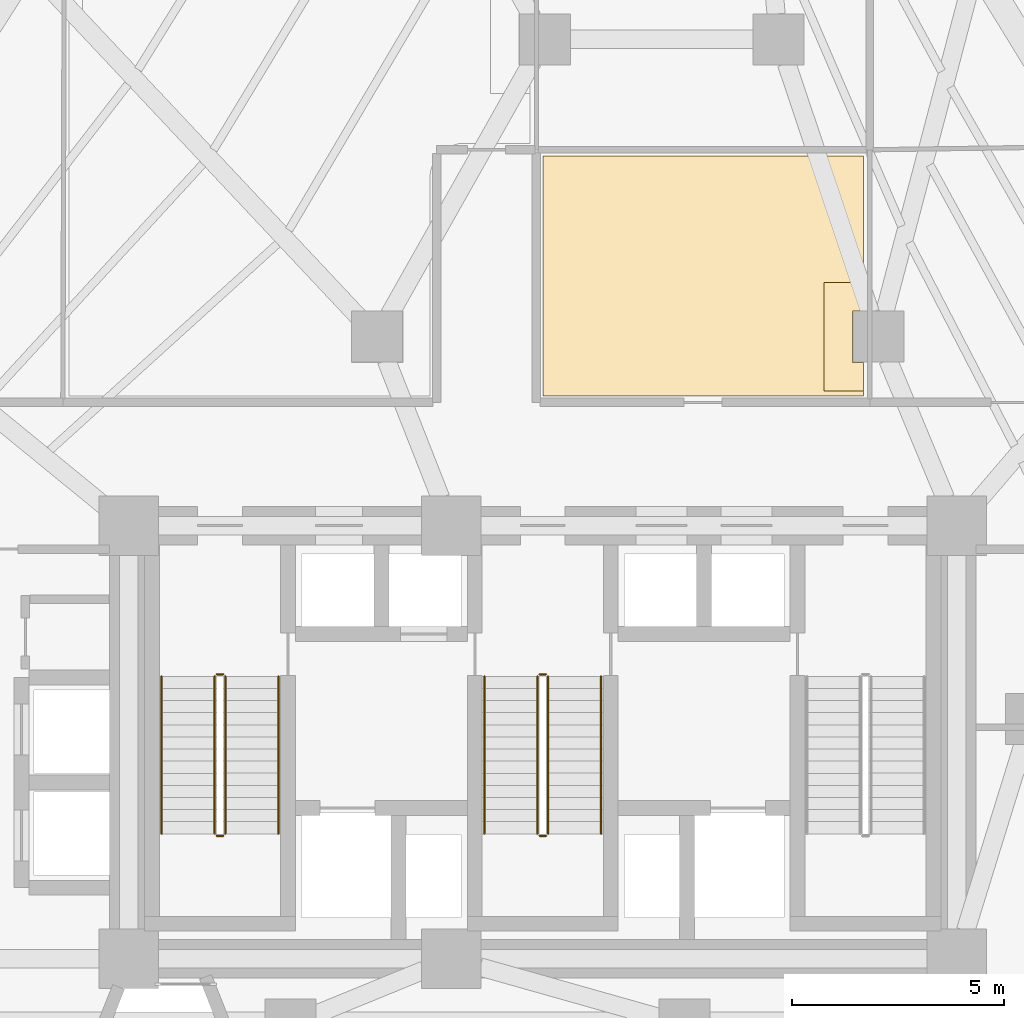
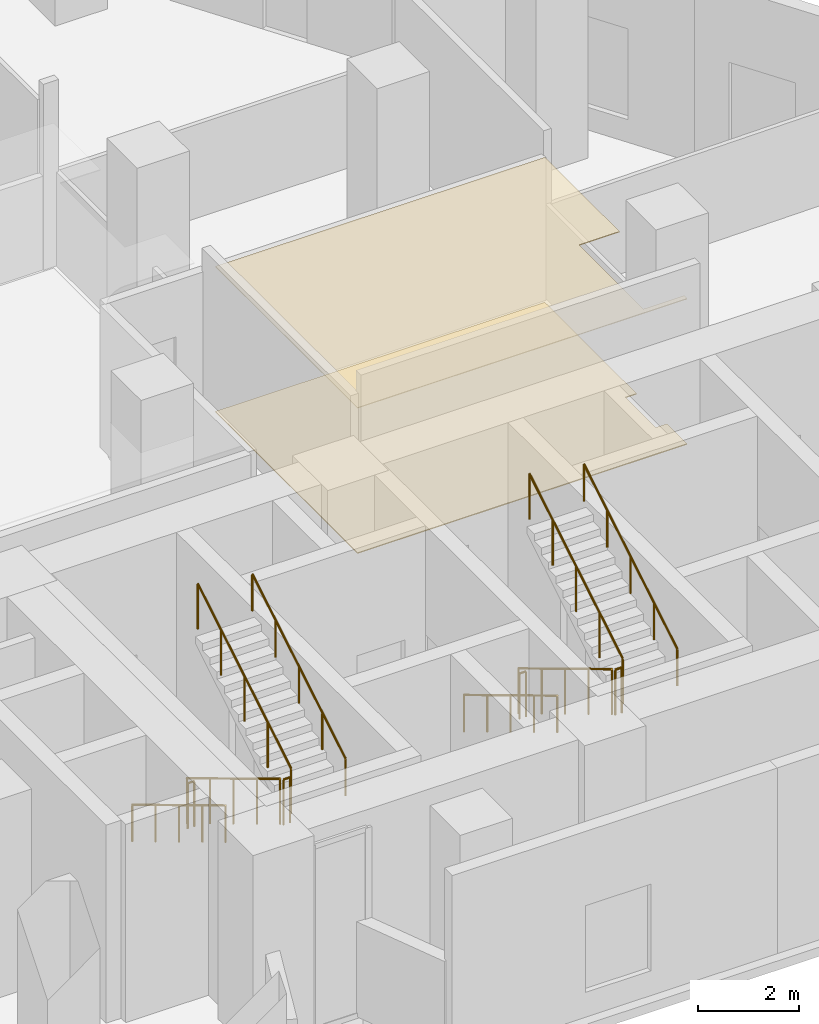
# One storey, part 10 of 13: 12 railings, 2 coverings.
"""IFC4 building model written with IfcOpenShell, lengths in metres."""

from ifc_helpers import new_model, si_unit, direction, frame, origin, origin_2d, place, context, subcontext, project, spatial, polyline, circle, outline, extrude, material, layer, layer_set, type_object, element, save


model = new_model("IFC4")

# Units and contexts
model_context = context("Model", 3, precision=1e-05, world=origin(), true_north=direction((0.0, 1.0)))
body_context = subcontext(model_context, "Body", "Model", "MODEL_VIEW")
ifc_project = project(units=[si_unit("LENGTHUNIT", "METRE"), si_unit("AREAUNIT", "SQUARE_METRE"), si_unit("VOLUMEUNIT", "CUBIC_METRE"), si_unit("PLANEANGLEUNIT", "RADIAN"), si_unit("MASSUNIT", "GRAM", prefix="KILO")], contexts=[model_context])

# Site, building, storey
site_placement = place(None, origin())
site = spatial("IfcSite", under=ifc_project, at=site_placement, CompositionType="ELEMENT")
building_placement = place(site_placement, origin())
building = spatial("IfcBuilding", under=site, at=building_placement, Name="Almagre Mirador Tower", CompositionType="ELEMENT")
storey_placement = place(building_placement, frame((0.0, 0.0, 100.199951171875)))
storey = spatial("IfcBuildingStorey", under=building, at=storey_placement, Name="L25", CompositionType="ELEMENT", Elevation=100.199951171875)

# Coverings
ifc_material_1 = material(Name="Perforated acoustic gypsum ceiling", Category="other")
ifc_layer_1 = layer(ifc_material_1, 0.01806640625)
ifc_layer_set_1 = layer_set([ifc_layer_1], Name="Perforated acoustic gypsum ceiling")
covering_type_1 = type_object("IfcCoveringType", Name="COV-CEIL-GYP-18", PredefinedType="CEILING", material=ifc_layer_set_1)
covering_1_placement = place(storey_placement, frame((0.0, 0.0, 3.52001953125)))
element("IfcCovering", 1, at=covering_1_placement, inside=storey, type_object=covering_type_1, Name="L25 L25 Sky Garden Cafe and Bar acoustic suspended ceiling", PredefinedType="CEILING", context=body_context, shape_type="SweptSolid", body=[
    extrude(outline(polyline([(44.85009765625, 23.449951171875), (44.85009765625, 20.47998046875), (43.919921875, 20.47998046875), (43.919921875, 17.919921875), (44.85009765625, 17.919921875), (44.85009765625, 17.800048828125), (37.300048828125, 17.800048828125), (37.300048828125, 23.449951171875), (44.85009765625, 23.449951171875)])), origin(), (0.0, 0.0, 1.0), 0.01806640625),
])
ifc_material_2 = material(Name="Honed basalt terrazzo flooring", Category="masonry")
ifc_layer_2 = layer(ifc_material_2, 0.02197265625)
ifc_layer_set_2 = layer_set([ifc_layer_2], Name="Honed basalt terrazzo flooring")
covering_type_2 = type_object("IfcCoveringType", Name="COV-FLR-TER-22", PredefinedType="FLOORING", material=ifc_layer_set_2)
covering_2_placement = place(storey_placement, origin())
element("IfcCovering", 2, at=covering_2_placement, inside=storey, type_object=covering_type_2, Name="L25 L25 Sky Garden Cafe and Bar finish flooring", PredefinedType="FLOORING", context=body_context, shape_type="SweptSolid", body=[
    extrude(outline(polyline([(37.300048828125, 23.449951171875), (44.85009765625, 23.449951171875), (44.85009765625, 19.804931640625), (44.594970703125, 19.804931640625), (44.594970703125, 18.594970703125), (44.85009765625, 18.594970703125), (44.85009765625, 17.800048828125), (37.300048828125, 17.800048828125), (37.300048828125, 23.449951171875)])), origin(), (0.0, 0.0, 1.0), 0.02197265625),
])

# Railings
ifc_material_3 = material(Name="Painted galvanized steel", Category="steel")
railing_type_1 = type_object("IfcRailingType", Name="RLG-GRD-1100", PredefinedType="GUARDRAIL", material=ifc_material_3)
railing_1_placement = place(storey_placement, frame((29.574951171875, 11.199951171875, 0.17138671875)))
element("IfcRailing", 3, at=railing_1_placement, inside=storey, type_object=railing_type_1, Name="L25 ST-1 stair guard 1", PredefinedType="GUARDRAIL", context=body_context, shape_type="SweptSolid", body=[
    extrude(circle(Radius=0.02392578125, at=origin_2d()), frame((0.0, 0.0, 1.09619140625), z_axis=(0.0, -0.856894455432, 0.515491893485), x_axis=(1.0, 0.0, 0.0)), (0.0, 0.0, 1.0), 4.323486328125),
    extrude(circle(Radius=0.02099609375, at=origin_2d()), origin(), (0.0, 0.0, 1.0), 1.072021484375),
    extrude(circle(Radius=0.02099609375, at=origin_2d()), frame((0.0, -0.92626953125, 0.55712890625)), (0.0, 0.0, 1.0), 1.072021484375),
    extrude(circle(Radius=0.02099609375, at=origin_2d()), frame((0.0, -1.8525390625, 1.1142578125)), (0.0, 0.0, 1.0), 1.072021484375),
    extrude(circle(Radius=0.02099609375, at=origin_2d()), frame((0.0, -2.778564453125, 1.671630859375)), (0.0, 0.0, 1.0), 1.072021484375),
    extrude(circle(Radius=0.02099609375, at=origin_2d()), frame((0.0, -3.704833984375, 2.228759765625)), (0.0, 0.0, 1.0), 1.072021484375),
])
railing_2_placement = place(storey_placement, frame((29.625, 7.445068359375, 2.400146484375)))
element("IfcRailing", 4, at=railing_2_placement, inside=storey, type_object=railing_type_1, Name="L25 ST-1 stair guard 2", PredefinedType="GUARDRAIL", context=body_context, shape_type="SweptSolid", body=[
    extrude(circle(Radius=0.02392578125, at=origin_2d()), frame((0.0, 0.0, 1.09619140625), z_axis=(1.0, 0.0, 0.0), x_axis=(0.0, 1.0, 0.0)), (0.0, 0.0, 1.0), 0.14990234375),
    extrude(circle(Radius=0.02099609375, at=origin_2d()), origin(), (0.0, 0.0, 1.0), 1.072021484375),
    extrude(circle(Radius=0.02099609375, at=origin_2d()), frame((0.14990234375, 0.0, 0.0)), (0.0, 0.0, 1.0), 1.072021484375),
])
railing_3_placement = place(storey_placement, frame((29.824951171875, 7.4951171875, 2.571533203125)))
element("IfcRailing", 5, at=railing_3_placement, inside=storey, type_object=railing_type_1, Name="L25 ST-1 stair guard 3", PredefinedType="GUARDRAIL", context=body_context, shape_type="SweptSolid", body=[
    extrude(circle(Radius=0.02392578125, at=origin_2d()), frame((0.0, 0.0, 1.09619140625), z_axis=(0.0, 0.856919398105, 0.515450429384), x_axis=(-1.0, 0.0, 0.0)), (0.0, 0.0, 1.0), 4.323486328125),
    extrude(circle(Radius=0.02099609375, at=origin_2d()), origin(), (0.0, 0.0, 1.0), 1.072021484375),
    extrude(circle(Radius=0.02099609375, at=origin_2d()), frame((0.0, 0.92626953125, 0.55712890625)), (0.0, 0.0, 1.0), 1.072021484375),
    extrude(circle(Radius=0.02099609375, at=origin_2d()), frame((0.0, 1.8525390625, 1.1142578125)), (0.0, 0.0, 1.0), 1.072021484375),
    extrude(circle(Radius=0.02099609375, at=origin_2d()), frame((0.0, 2.778564453125, 1.67138671875)), (0.0, 0.0, 1.0), 1.072021484375),
    extrude(circle(Radius=0.02099609375, at=origin_2d()), frame((0.0, 3.704833984375, 2.228515625)), (0.0, 0.0, 1.0), 1.072021484375),
])
railing_4_placement = place(storey_placement, frame((29.625, 11.25, 0.0)))
element("IfcRailing", 6, at=railing_4_placement, inside=storey, type_object=railing_type_1, Name="L25 ST-1 stair guard 4", PredefinedType="GUARDRAIL", context=body_context, shape_type="SweptSolid", body=[
    extrude(circle(Radius=0.02392578125, at=origin_2d()), frame((0.0, 0.0, 1.09619140625), z_axis=(1.0, 0.0, 0.0), x_axis=(0.0, 1.0, 0.0)), (0.0, 0.0, 1.0), 0.14990234375),
    extrude(circle(Radius=0.02099609375, at=origin_2d()), origin(), (0.0, 0.0, 1.0), 1.072021484375),
    extrude(circle(Radius=0.02099609375, at=origin_2d()), frame((0.14990234375, 0.0, 0.0)), (0.0, 0.0, 1.0), 1.072021484375),
])
railing_5_placement = place(storey_placement, frame((37.175048828125, 11.199951171875, 0.17138671875)))
element("IfcRailing", 7, at=railing_5_placement, inside=storey, type_object=railing_type_1, Name="L25 ST-2 stair guard 1", PredefinedType="GUARDRAIL", context=body_context, shape_type="SweptSolid", body=[
    extrude(circle(Radius=0.02392578125, at=origin_2d()), frame((0.0, 0.0, 1.09619140625), z_axis=(0.0, -0.856894455432, 0.515491893485), x_axis=(1.0, 0.0, 0.0)), (0.0, 0.0, 1.0), 4.323486328125),
    extrude(circle(Radius=0.02099609375, at=origin_2d()), origin(), (0.0, 0.0, 1.0), 1.072021484375),
    extrude(circle(Radius=0.02099609375, at=origin_2d()), frame((0.0, -0.92626953125, 0.55712890625)), (0.0, 0.0, 1.0), 1.072021484375),
    extrude(circle(Radius=0.02099609375, at=origin_2d()), frame((0.0, -1.8525390625, 1.1142578125)), (0.0, 0.0, 1.0), 1.072021484375),
    extrude(circle(Radius=0.02099609375, at=origin_2d()), frame((0.0, -2.778564453125, 1.671630859375)), (0.0, 0.0, 1.0), 1.072021484375),
    extrude(circle(Radius=0.02099609375, at=origin_2d()), frame((0.0, -3.704833984375, 2.228759765625)), (0.0, 0.0, 1.0), 1.072021484375),
])
railing_6_placement = place(storey_placement, frame((37.22509765625, 7.445068359375, 2.400146484375)))
element("IfcRailing", 8, at=railing_6_placement, inside=storey, type_object=railing_type_1, Name="L25 ST-2 stair guard 2", PredefinedType="GUARDRAIL", context=body_context, shape_type="SweptSolid", body=[
    extrude(circle(Radius=0.02392578125, at=origin_2d()), frame((0.0, 0.0, 1.09619140625), z_axis=(1.0, 0.0, 0.0), x_axis=(0.0, 1.0, 0.0)), (0.0, 0.0, 1.0), 0.14990234375),
    extrude(circle(Radius=0.02099609375, at=origin_2d()), origin(), (0.0, 0.0, 1.0), 1.072021484375),
    extrude(circle(Radius=0.02099609375, at=origin_2d()), frame((0.14990234375, 0.0, 0.0)), (0.0, 0.0, 1.0), 1.072021484375),
])
railing_7_placement = place(storey_placement, frame((37.425048828125, 7.4951171875, 2.571533203125)))
element("IfcRailing", 9, at=railing_7_placement, inside=storey, type_object=railing_type_1, Name="L25 ST-2 stair guard 3", PredefinedType="GUARDRAIL", context=body_context, shape_type="SweptSolid", body=[
    extrude(circle(Radius=0.02392578125, at=origin_2d()), frame((0.0, 0.0, 1.09619140625), z_axis=(0.0, 0.856919398105, 0.515450429384), x_axis=(-1.0, 0.0, 0.0)), (0.0, 0.0, 1.0), 4.323486328125),
    extrude(circle(Radius=0.02099609375, at=origin_2d()), origin(), (0.0, 0.0, 1.0), 1.072021484375),
    extrude(circle(Radius=0.02099609375, at=origin_2d()), frame((0.0, 0.92626953125, 0.55712890625)), (0.0, 0.0, 1.0), 1.072021484375),
    extrude(circle(Radius=0.02099609375, at=origin_2d()), frame((0.0, 1.8525390625, 1.1142578125)), (0.0, 0.0, 1.0), 1.072021484375),
    extrude(circle(Radius=0.02099609375, at=origin_2d()), frame((0.0, 2.778564453125, 1.67138671875)), (0.0, 0.0, 1.0), 1.072021484375),
    extrude(circle(Radius=0.02099609375, at=origin_2d()), frame((0.0, 3.704833984375, 2.228515625)), (0.0, 0.0, 1.0), 1.072021484375),
])
railing_8_placement = place(storey_placement, frame((37.22509765625, 11.25, 0.0)))
element("IfcRailing", 10, at=railing_8_placement, inside=storey, type_object=railing_type_1, Name="L25 ST-2 stair guard 4", PredefinedType="GUARDRAIL", context=body_context, shape_type="SweptSolid", body=[
    extrude(circle(Radius=0.02392578125, at=origin_2d()), frame((0.0, 0.0, 1.09619140625), z_axis=(1.0, 0.0, 0.0), x_axis=(0.0, 1.0, 0.0)), (0.0, 0.0, 1.0), 0.14990234375),
    extrude(circle(Radius=0.02099609375, at=origin_2d()), origin(), (0.0, 0.0, 1.0), 1.072021484375),
    extrude(circle(Radius=0.02099609375, at=origin_2d()), frame((0.14990234375, 0.0, 0.0)), (0.0, 0.0, 1.0), 1.072021484375),
])
ifc_material_4 = material(Name="Brushed stainless steel", Category="steel")
railing_type_2 = type_object("IfcRailingType", Name="RLG-HND-915", PredefinedType="HANDRAIL", material=ifc_material_4)
railing_9_placement = place(storey_placement, frame((28.324951171875, 11.199951171875, 0.17138671875)))
element("IfcRailing", 11, at=railing_9_placement, inside=storey, type_object=railing_type_2, Name="L25 ST-1 stair handrail 1", PredefinedType="HANDRAIL", context=body_context, shape_type="SweptSolid", body=[
    extrude(circle(Radius=0.02392578125, at=origin_2d()), frame((0.0, 0.0, 0.89111328125), z_axis=(0.0, -0.856894455432, 0.515491893485), x_axis=(1.0, 0.0, 0.0)), (0.0, 0.0, 1.0), 4.323486328125),
    extrude(circle(Radius=0.02099609375, at=origin_2d()), origin(), (0.0, 0.0, 1.0), 0.866943359375),
    extrude(circle(Radius=0.02099609375, at=origin_2d()), frame((0.0, -0.92626953125, 0.55712890625)), (0.0, 0.0, 1.0), 0.866943359375),
    extrude(circle(Radius=0.02099609375, at=origin_2d()), frame((0.0, -1.8525390625, 1.1142578125)), (0.0, 0.0, 1.0), 0.866943359375),
    extrude(circle(Radius=0.02099609375, at=origin_2d()), frame((0.0, -2.778564453125, 1.671630859375)), (0.0, 0.0, 1.0), 0.866943359375),
    extrude(circle(Radius=0.02099609375, at=origin_2d()), frame((0.0, -3.704833984375, 2.228759765625)), (0.0, 0.0, 1.0), 0.866943359375),
])
railing_10_placement = place(storey_placement, frame((31.074951171875, 7.4951171875, 2.571533203125)))
element("IfcRailing", 12, at=railing_10_placement, inside=storey, type_object=railing_type_2, Name="L25 ST-1 stair handrail 2", PredefinedType="HANDRAIL", context=body_context, shape_type="SweptSolid", body=[
    extrude(circle(Radius=0.02392578125, at=origin_2d()), frame((0.0, 0.0, 0.89111328125), z_axis=(0.0, 0.856919398105, 0.515450429384), x_axis=(-1.0, 0.0, 0.0)), (0.0, 0.0, 1.0), 4.323486328125),
    extrude(circle(Radius=0.02099609375, at=origin_2d()), origin(), (0.0, 0.0, 1.0), 0.866943359375),
    extrude(circle(Radius=0.02099609375, at=origin_2d()), frame((0.0, 0.92626953125, 0.55712890625)), (0.0, 0.0, 1.0), 0.866943359375),
    extrude(circle(Radius=0.02099609375, at=origin_2d()), frame((0.0, 1.8525390625, 1.1142578125)), (0.0, 0.0, 1.0), 0.866943359375),
    extrude(circle(Radius=0.02099609375, at=origin_2d()), frame((0.0, 2.778564453125, 1.67138671875)), (0.0, 0.0, 1.0), 0.866943359375),
    extrude(circle(Radius=0.02099609375, at=origin_2d()), frame((0.0, 3.704833984375, 2.228515625)), (0.0, 0.0, 1.0), 0.866943359375),
])
railing_11_placement = place(storey_placement, frame((35.925048828125, 11.199951171875, 0.17138671875)))
element("IfcRailing", 13, at=railing_11_placement, inside=storey, type_object=railing_type_2, Name="L25 ST-2 stair handrail 1", PredefinedType="HANDRAIL", context=body_context, shape_type="SweptSolid", body=[
    extrude(circle(Radius=0.02392578125, at=origin_2d()), frame((0.0, 0.0, 0.89111328125), z_axis=(0.0, -0.856894455432, 0.515491893485), x_axis=(1.0, 0.0, 0.0)), (0.0, 0.0, 1.0), 4.323486328125),
    extrude(circle(Radius=0.02099609375, at=origin_2d()), origin(), (0.0, 0.0, 1.0), 0.866943359375),
    extrude(circle(Radius=0.02099609375, at=origin_2d()), frame((0.0, -0.92626953125, 0.55712890625)), (0.0, 0.0, 1.0), 0.866943359375),
    extrude(circle(Radius=0.02099609375, at=origin_2d()), frame((0.0, -1.8525390625, 1.1142578125)), (0.0, 0.0, 1.0), 0.866943359375),
    extrude(circle(Radius=0.02099609375, at=origin_2d()), frame((0.0, -2.778564453125, 1.671630859375)), (0.0, 0.0, 1.0), 0.866943359375),
    extrude(circle(Radius=0.02099609375, at=origin_2d()), frame((0.0, -3.704833984375, 2.228759765625)), (0.0, 0.0, 1.0), 0.866943359375),
])
railing_12_placement = place(storey_placement, frame((38.675048828125, 7.4951171875, 2.571533203125)))
element("IfcRailing", 14, at=railing_12_placement, inside=storey, type_object=railing_type_2, Name="L25 ST-2 stair handrail 2", PredefinedType="HANDRAIL", context=body_context, shape_type="SweptSolid", body=[
    extrude(circle(Radius=0.02392578125, at=origin_2d()), frame((0.0, 0.0, 0.89111328125), z_axis=(0.0, 0.856919398105, 0.515450429384), x_axis=(-1.0, 0.0, 0.0)), (0.0, 0.0, 1.0), 4.323486328125),
    extrude(circle(Radius=0.02099609375, at=origin_2d()), origin(), (0.0, 0.0, 1.0), 0.866943359375),
    extrude(circle(Radius=0.02099609375, at=origin_2d()), frame((0.0, 0.92626953125, 0.55712890625)), (0.0, 0.0, 1.0), 0.866943359375),
    extrude(circle(Radius=0.02099609375, at=origin_2d()), frame((0.0, 1.8525390625, 1.1142578125)), (0.0, 0.0, 1.0), 0.866943359375),
    extrude(circle(Radius=0.02099609375, at=origin_2d()), frame((0.0, 2.778564453125, 1.67138671875)), (0.0, 0.0, 1.0), 0.866943359375),
    extrude(circle(Radius=0.02099609375, at=origin_2d()), frame((0.0, 3.704833984375, 2.228515625)), (0.0, 0.0, 1.0), 0.866943359375),
])

save(model, "model.ifc")
